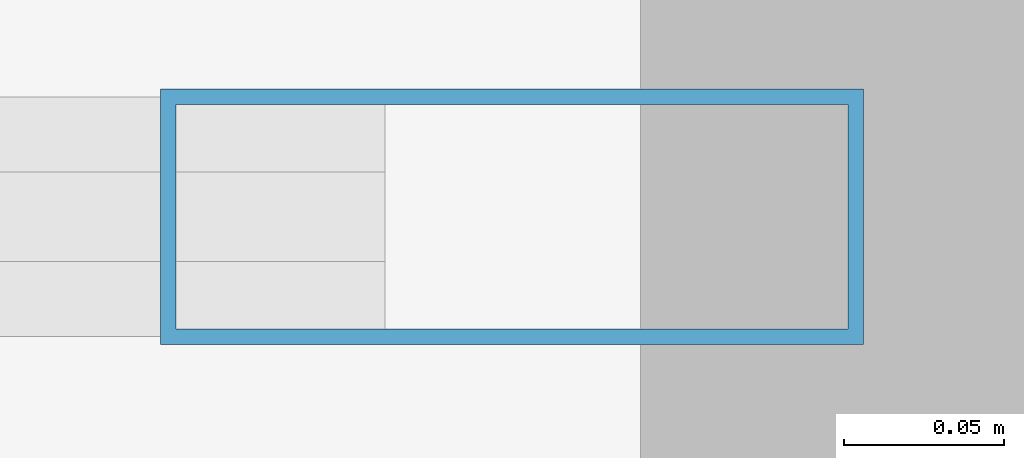
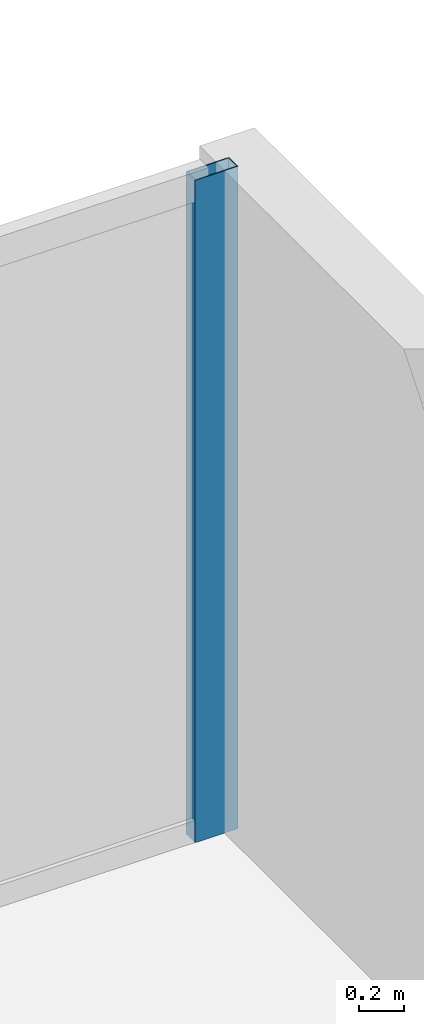
# One storey, part 14 of 26: 1 member, 1 element without a shape of its own.
"""IFC4 building model written with IfcOpenShell, lengths in metres."""

from ifc_helpers import new_model, si_unit, direction, frame, origin, origin_with_axes, origin_2d, place, context, subcontext, project, spatial, hollow_rectangle, extrude, source, transform, mapped, material, layer, layer_set, material_profile, profile_set, type_object, element, aggregate, save


model = new_model("IFC4")

# Units and contexts
model_context = context("Model", 3, precision=1e-05, world=origin(), true_north=direction((0.0, 1.0)))
body_context = subcontext(model_context, "Body", "Model", "MODEL_VIEW")
ifc_project = project(units=[si_unit("LENGTHUNIT", "METRE"), si_unit("AREAUNIT", "SQUARE_METRE"), si_unit("VOLUMEUNIT", "CUBIC_METRE"), si_unit("PLANEANGLEUNIT", "RADIAN"), si_unit("MASSUNIT", "GRAM", prefix="KILO")], contexts=[model_context])

# Site, building, storey
site_placement = place(None, origin())
site = spatial("IfcSite", under=ifc_project, at=site_placement, CompositionType="ELEMENT")
building_placement = place(site_placement, origin())
building = spatial("IfcBuilding", under=site, at=building_placement, Name="Kolvaren Waterfront Exchange", CompositionType="ELEMENT")
storey_placement = place(building_placement, frame((0.0, 0.0, 165.199951171875)))
storey = spatial("IfcBuildingStorey", under=building, at=storey_placement, Name="L42", CompositionType="ELEMENT", Elevation=165.199951171875)

# Curtain wall, member
ifc_material_1 = material(Name="Anodised bronze aluminium 6063-T6", Category="aluminium")
ifc_layer = layer(ifc_material_1, 0.219970703125, Name="Anodised bronze aluminium 6063-T6")
ifc_layer_set = layer_set([ifc_layer], Name="Anodised bronze aluminium 6063-T6")
curtain_wall_type = type_object("IfcCurtainWallType", Name="ARC-CW-SYS1", PredefinedType="USERDEFINED", material=ifc_layer_set)
curtain_wall_placement = place(storey_placement, origin())
curtain_wall = element("IfcCurtainWall", 1, at=curtain_wall_placement, inside=storey, type_object=curtain_wall_type, Name="L42 stick curtain wall CW1 (CW-L42-EN)", ObjectType="STICK CURTAIN WALL", PredefinedType="USERDEFINED")
ifc_material_2 = material(Name="Anodised aluminium 6063-T6", Category="aluminium")
ifc_material_profile = material_profile(ifc_material_2, hollow_rectangle(XDim=0.080078125, YDim=0.219970703125, WallThickness=0.0048828125, at=origin_2d()), Name="ALU-MUL-220x80x5")
ifc_profile_set = profile_set([ifc_material_profile], Name="Anodised aluminium 6063-T6")
member_type = type_object("IfcMemberType", Name="ARC-CWM-220", PredefinedType="MULLION", material=ifc_profile_set)
shared_shape = source(origin_with_axes(), body_context, "Body", "SweptSolid", [
    extrude(hollow_rectangle(XDim=0.080078125, YDim=0.219970703125, WallThickness=0.0048828125, at=origin_2d()), origin(), (0.0, 0.0, 1.0), 3.56005859375),
])
member_placement = place(storey_placement, frame((54.659912109375, 20.9599609375, 0.0), z_axis=(0.0, 0.0, 1.0), x_axis=(0.0, 1.0, 0.0)))
member = element("IfcMember", 2, at=member_placement, type_object=member_type, Name="CW1 mullion 5", PredefinedType="MULLION", context=body_context, shape_type="MappedRepresentation", body=[
    mapped(shared_shape, transform((0.0, 0.0, 0.0), x_axis=(1.0, 0.0, 0.0), y_axis=(0.0, 1.0, 0.0), z_axis=(0.0, 0.0, 1.0), scale=1.0)),
])
aggregate(curtain_wall, [member])

save(model, "model.ifc")
